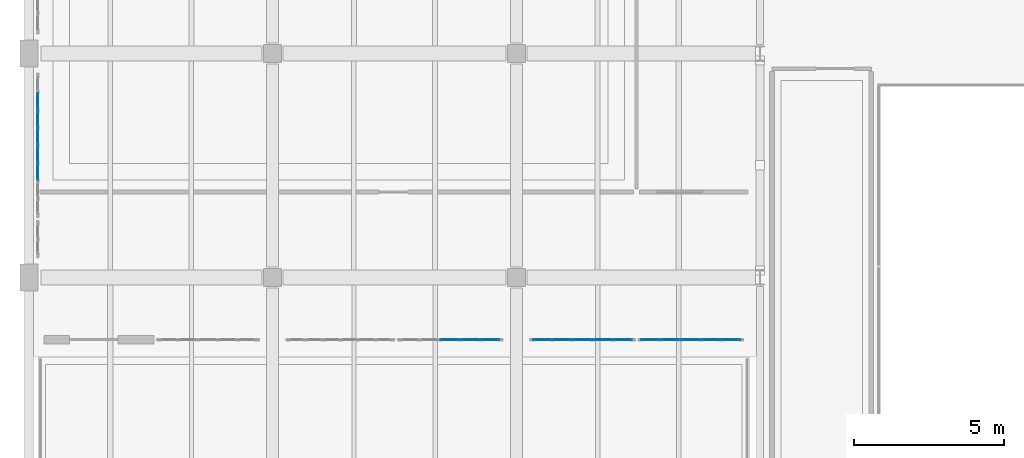
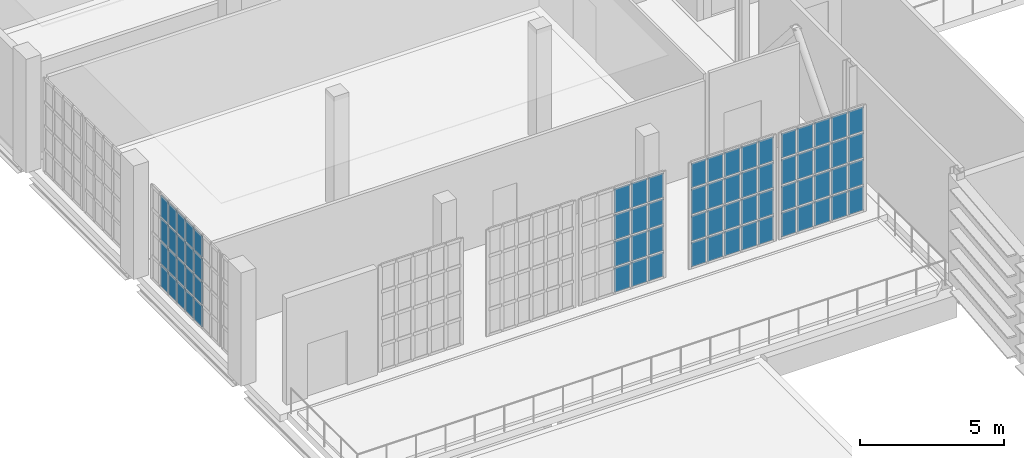
# One storey, part 70 of 104: 72 plates, 4 elements without a shape of their own.
"""IFC4 building model written with IfcOpenShell, lengths in metres."""

from ifc_helpers import new_model, si_unit, direction, frame, origin, origin_2d, place, context, subcontext, project, spatial, rectangle, extrude, material, layer, layer_set, type_object, element, aggregate, save


model = new_model("IFC4")

# Units and contexts
model_context = context("Model", 3, precision=1e-05, world=origin(), true_north=direction((0.0, 1.0)))
body_context = subcontext(model_context, "Body", "Model", "MODEL_VIEW")
ifc_project = project(units=[si_unit("LENGTHUNIT", "METRE"), si_unit("AREAUNIT", "SQUARE_METRE"), si_unit("VOLUMEUNIT", "CUBIC_METRE"), si_unit("PLANEANGLEUNIT", "RADIAN"), si_unit("MASSUNIT", "GRAM", prefix="KILO")], contexts=[model_context])

# Site, building, storey
site_placement = place(None, origin())
site = spatial("IfcSite", under=ifc_project, at=site_placement, CompositionType="ELEMENT")
building_placement = place(site_placement, origin())
building = spatial("IfcBuilding", under=site, at=building_placement, Name="Kaelora Sail Theatre", CompositionType="ELEMENT")
storey_placement = place(building_placement, frame((0.0, 0.0, 5.39990234375)))
storey = spatial("IfcBuildingStorey", under=building, at=storey_placement, Name="L01", CompositionType="ELEMENT", Elevation=5.39990234375)

# Curtain wall, plates
ifc_material_1 = material(Name="Anodised aluminium and solar-control low-E IGU", Category="aluminium")
curtain_wall_type_1 = type_object("IfcCurtainWallType", Name="ARC-CW-CW-FOY2", PredefinedType="NOTDEFINED", material=ifc_material_1)
curtain_wall_1_placement = place(storey_placement, origin())
curtain_wall_1 = element("IfcCurtainWall", 1, at=curtain_wall_1_placement, inside=storey, type_object=curtain_wall_type_1, Name="Glazed Foyer/Conservatory Curtain Wall FW1-S-L01-03", PredefinedType="NOTDEFINED")
ifc_material_2 = material(Name="Solar-control laminated low-E glass", Category="glass")
ifc_layer = layer(ifc_material_2, 0.031982421875)
ifc_layer_set = layer_set([ifc_layer], Name="Solar-control laminated low-E glass")
plate_type = type_object("IfcPlateType", Name="ARC-CW-PNL", PredefinedType="CURTAIN_PANEL", material=ifc_layer_set)
plate_1_placement = place(storey_placement, frame((15.5, 66.389892578125, 0.0703125), z_axis=(0.0, 0.0, 1.0), x_axis=(1.0, 0.0, 0.0)))
plate_1 = element("IfcPlate", 2, at=plate_1_placement, type_object=plate_type, Name="CW-FOY2 panel 3.1", PredefinedType="CURTAIN_PANEL", context=body_context, shape_type="SweptSolid", body=[
    extrude(rectangle(XDim=0.6201171875, YDim=0.031982421875, at=origin_2d()), origin(), (0.0, 0.0, 1.0), 1.021240234375),
])
plate_2_placement = place(storey_placement, frame((15.5, 66.389892578125, 1.161376953125), z_axis=(0.0, 0.0, 1.0), x_axis=(1.0, 0.0, 0.0)))
plate_2 = element("IfcPlate", 3, at=plate_2_placement, type_object=plate_type, Name="CW-FOY2 panel 3.2", PredefinedType="CURTAIN_PANEL", context=body_context, shape_type="SweptSolid", body=[
    extrude(rectangle(XDim=0.6201171875, YDim=0.031982421875, at=origin_2d()), origin(), (0.0, 0.0, 1.0), 1.05615234375),
])
plate_3_placement = place(storey_placement, frame((15.5, 66.389892578125, 2.28759765625), z_axis=(0.0, 0.0, 1.0), x_axis=(1.0, 0.0, 0.0)))
plate_3 = element("IfcPlate", 4, at=plate_3_placement, type_object=plate_type, Name="CW-FOY2 panel 3.3", PredefinedType="CURTAIN_PANEL", context=body_context, shape_type="SweptSolid", body=[
    extrude(rectangle(XDim=0.6201171875, YDim=0.031982421875, at=origin_2d()), origin(), (0.0, 0.0, 1.0), 1.056396484375),
])
plate_4_placement = place(storey_placement, frame((15.5, 66.389892578125, 3.4140625), z_axis=(0.0, 0.0, 1.0), x_axis=(1.0, 0.0, 0.0)))
plate_4 = element("IfcPlate", 5, at=plate_4_placement, type_object=plate_type, Name="CW-FOY2 panel 3.4", PredefinedType="CURTAIN_PANEL", context=body_context, shape_type="SweptSolid", body=[
    extrude(rectangle(XDim=0.6201171875, YDim=0.031982421875, at=origin_2d()), origin(), (0.0, 0.0, 1.0), 1.021240234375),
])
plate_5_placement = place(storey_placement, frame((16.179931640625, 66.389892578125, 0.0703125), z_axis=(0.0, 0.0, 1.0), x_axis=(1.0, 0.0, 0.0)))
plate_5 = element("IfcPlate", 6, at=plate_5_placement, type_object=plate_type, Name="CW-FOY2 panel 4.1", PredefinedType="CURTAIN_PANEL", context=body_context, shape_type="SweptSolid", body=[
    extrude(rectangle(XDim=0.6201171875, YDim=0.031982421875, at=origin_2d()), origin(), (0.0, 0.0, 1.0), 1.021240234375),
])
plate_6_placement = place(storey_placement, frame((16.179931640625, 66.389892578125, 1.161376953125), z_axis=(0.0, 0.0, 1.0), x_axis=(1.0, 0.0, 0.0)))
plate_6 = element("IfcPlate", 7, at=plate_6_placement, type_object=plate_type, Name="CW-FOY2 panel 4.2", PredefinedType="CURTAIN_PANEL", context=body_context, shape_type="SweptSolid", body=[
    extrude(rectangle(XDim=0.6201171875, YDim=0.031982421875, at=origin_2d()), origin(), (0.0, 0.0, 1.0), 1.05615234375),
])
plate_7_placement = place(storey_placement, frame((16.179931640625, 66.389892578125, 2.28759765625), z_axis=(0.0, 0.0, 1.0), x_axis=(1.0, 0.0, 0.0)))
plate_7 = element("IfcPlate", 8, at=plate_7_placement, type_object=plate_type, Name="CW-FOY2 panel 4.3", PredefinedType="CURTAIN_PANEL", context=body_context, shape_type="SweptSolid", body=[
    extrude(rectangle(XDim=0.6201171875, YDim=0.031982421875, at=origin_2d()), origin(), (0.0, 0.0, 1.0), 1.056396484375),
])
plate_8_placement = place(storey_placement, frame((16.179931640625, 66.389892578125, 3.4140625), z_axis=(0.0, 0.0, 1.0), x_axis=(1.0, 0.0, 0.0)))
plate_8 = element("IfcPlate", 9, at=plate_8_placement, type_object=plate_type, Name="CW-FOY2 panel 4.4", PredefinedType="CURTAIN_PANEL", context=body_context, shape_type="SweptSolid", body=[
    extrude(rectangle(XDim=0.6201171875, YDim=0.031982421875, at=origin_2d()), origin(), (0.0, 0.0, 1.0), 1.021240234375),
])
plate_9_placement = place(storey_placement, frame((16.844970703125, 66.389892578125, 0.0703125), z_axis=(0.0, 0.0, 1.0), x_axis=(1.0, 0.0, 0.0)))
plate_9 = element("IfcPlate", 10, at=plate_9_placement, type_object=plate_type, Name="CW-FOY2 panel 5.1", PredefinedType="CURTAIN_PANEL", context=body_context, shape_type="SweptSolid", body=[
    extrude(rectangle(XDim=0.590087890625, YDim=0.031982421875, at=origin_2d()), origin(), (0.0, 0.0, 1.0), 1.021240234375),
])
plate_10_placement = place(storey_placement, frame((16.844970703125, 66.389892578125, 1.161376953125), z_axis=(0.0, 0.0, 1.0), x_axis=(1.0, 0.0, 0.0)))
plate_10 = element("IfcPlate", 11, at=plate_10_placement, type_object=plate_type, Name="CW-FOY2 panel 5.2", PredefinedType="CURTAIN_PANEL", context=body_context, shape_type="SweptSolid", body=[
    extrude(rectangle(XDim=0.590087890625, YDim=0.031982421875, at=origin_2d()), origin(), (0.0, 0.0, 1.0), 1.05615234375),
])
plate_11_placement = place(storey_placement, frame((16.844970703125, 66.389892578125, 2.28759765625), z_axis=(0.0, 0.0, 1.0), x_axis=(1.0, 0.0, 0.0)))
plate_11 = element("IfcPlate", 12, at=plate_11_placement, type_object=plate_type, Name="CW-FOY2 panel 5.3", PredefinedType="CURTAIN_PANEL", context=body_context, shape_type="SweptSolid", body=[
    extrude(rectangle(XDim=0.590087890625, YDim=0.031982421875, at=origin_2d()), origin(), (0.0, 0.0, 1.0), 1.056396484375),
])
plate_12_placement = place(storey_placement, frame((16.844970703125, 66.389892578125, 3.4140625), z_axis=(0.0, 0.0, 1.0), x_axis=(1.0, 0.0, 0.0)))
plate_12 = element("IfcPlate", 13, at=plate_12_placement, type_object=plate_type, Name="CW-FOY2 panel 5.4", PredefinedType="CURTAIN_PANEL", context=body_context, shape_type="SweptSolid", body=[
    extrude(rectangle(XDim=0.590087890625, YDim=0.031982421875, at=origin_2d()), origin(), (0.0, 0.0, 1.0), 1.021240234375),
])
aggregate(curtain_wall_1, [plate_1, plate_2, plate_3, plate_4, plate_5, plate_6, plate_7, plate_8, plate_9, plate_10, plate_11, plate_12])

curtain_wall_2_placement = place(storey_placement, origin())
curtain_wall_2 = element("IfcCurtainWall", 14, at=curtain_wall_2_placement, inside=storey, type_object=curtain_wall_type_1, Name="Glazed Foyer/Conservatory Curtain Wall FW1-S-L01-04", PredefinedType="NOTDEFINED")
plate_13_placement = place(storey_placement, frame((18.554931640625, 66.389892578125, 0.0703125), z_axis=(0.0, 0.0, 1.0), x_axis=(1.0, 0.0, 0.0)))
plate_13 = element("IfcPlate", 15, at=plate_13_placement, type_object=plate_type, Name="CW-FOY2 panel 1.1", PredefinedType="CURTAIN_PANEL", context=body_context, shape_type="SweptSolid", body=[
    extrude(rectangle(XDim=0.590087890625, YDim=0.031982421875, at=origin_2d()), origin(), (0.0, 0.0, 1.0), 1.021240234375),
])
plate_14_placement = place(storey_placement, frame((18.554931640625, 66.389892578125, 1.161376953125), z_axis=(0.0, 0.0, 1.0), x_axis=(1.0, 0.0, 0.0)))
plate_14 = element("IfcPlate", 16, at=plate_14_placement, type_object=plate_type, Name="CW-FOY2 panel 1.2", PredefinedType="CURTAIN_PANEL", context=body_context, shape_type="SweptSolid", body=[
    extrude(rectangle(XDim=0.590087890625, YDim=0.031982421875, at=origin_2d()), origin(), (0.0, 0.0, 1.0), 1.05615234375),
])
plate_15_placement = place(storey_placement, frame((18.554931640625, 66.389892578125, 2.28759765625), z_axis=(0.0, 0.0, 1.0), x_axis=(1.0, 0.0, 0.0)))
plate_15 = element("IfcPlate", 17, at=plate_15_placement, type_object=plate_type, Name="CW-FOY2 panel 1.3", PredefinedType="CURTAIN_PANEL", context=body_context, shape_type="SweptSolid", body=[
    extrude(rectangle(XDim=0.590087890625, YDim=0.031982421875, at=origin_2d()), origin(), (0.0, 0.0, 1.0), 1.056396484375),
])
plate_16_placement = place(storey_placement, frame((18.554931640625, 66.389892578125, 3.4140625), z_axis=(0.0, 0.0, 1.0), x_axis=(1.0, 0.0, 0.0)))
plate_16 = element("IfcPlate", 18, at=plate_16_placement, type_object=plate_type, Name="CW-FOY2 panel 1.4", PredefinedType="CURTAIN_PANEL", context=body_context, shape_type="SweptSolid", body=[
    extrude(rectangle(XDim=0.590087890625, YDim=0.031982421875, at=origin_2d()), origin(), (0.0, 0.0, 1.0), 1.021240234375),
])
plate_17_placement = place(storey_placement, frame((19.219970703125, 66.389892578125, 0.0703125), z_axis=(0.0, 0.0, 1.0), x_axis=(1.0, 0.0, 0.0)))
plate_17 = element("IfcPlate", 19, at=plate_17_placement, type_object=plate_type, Name="CW-FOY2 panel 2.1", PredefinedType="CURTAIN_PANEL", context=body_context, shape_type="SweptSolid", body=[
    extrude(rectangle(XDim=0.6201171875, YDim=0.031982421875, at=origin_2d()), origin(), (0.0, 0.0, 1.0), 1.021240234375),
])
plate_18_placement = place(storey_placement, frame((19.219970703125, 66.389892578125, 1.161376953125), z_axis=(0.0, 0.0, 1.0), x_axis=(1.0, 0.0, 0.0)))
plate_18 = element("IfcPlate", 20, at=plate_18_placement, type_object=plate_type, Name="CW-FOY2 panel 2.2", PredefinedType="CURTAIN_PANEL", context=body_context, shape_type="SweptSolid", body=[
    extrude(rectangle(XDim=0.6201171875, YDim=0.031982421875, at=origin_2d()), origin(), (0.0, 0.0, 1.0), 1.05615234375),
])
plate_19_placement = place(storey_placement, frame((19.219970703125, 66.389892578125, 2.28759765625), z_axis=(0.0, 0.0, 1.0), x_axis=(1.0, 0.0, 0.0)))
plate_19 = element("IfcPlate", 21, at=plate_19_placement, type_object=plate_type, Name="CW-FOY2 panel 2.3", PredefinedType="CURTAIN_PANEL", context=body_context, shape_type="SweptSolid", body=[
    extrude(rectangle(XDim=0.6201171875, YDim=0.031982421875, at=origin_2d()), origin(), (0.0, 0.0, 1.0), 1.056396484375),
])
plate_20_placement = place(storey_placement, frame((19.219970703125, 66.389892578125, 3.4140625), z_axis=(0.0, 0.0, 1.0), x_axis=(1.0, 0.0, 0.0)))
plate_20 = element("IfcPlate", 22, at=plate_20_placement, type_object=plate_type, Name="CW-FOY2 panel 2.4", PredefinedType="CURTAIN_PANEL", context=body_context, shape_type="SweptSolid", body=[
    extrude(rectangle(XDim=0.6201171875, YDim=0.031982421875, at=origin_2d()), origin(), (0.0, 0.0, 1.0), 1.021240234375),
])
plate_21_placement = place(storey_placement, frame((19.89990234375, 66.389892578125, 0.0703125), z_axis=(0.0, 0.0, 1.0), x_axis=(1.0, 0.0, 0.0)))
plate_21 = element("IfcPlate", 23, at=plate_21_placement, type_object=plate_type, Name="CW-FOY2 panel 3.1", PredefinedType="CURTAIN_PANEL", context=body_context, shape_type="SweptSolid", body=[
    extrude(rectangle(XDim=0.6201171875, YDim=0.031982421875, at=origin_2d()), origin(), (0.0, 0.0, 1.0), 1.021240234375),
])
plate_22_placement = place(storey_placement, frame((19.89990234375, 66.389892578125, 1.161376953125), z_axis=(0.0, 0.0, 1.0), x_axis=(1.0, 0.0, 0.0)))
plate_22 = element("IfcPlate", 24, at=plate_22_placement, type_object=plate_type, Name="CW-FOY2 panel 3.2", PredefinedType="CURTAIN_PANEL", context=body_context, shape_type="SweptSolid", body=[
    extrude(rectangle(XDim=0.6201171875, YDim=0.031982421875, at=origin_2d()), origin(), (0.0, 0.0, 1.0), 1.05615234375),
])
plate_23_placement = place(storey_placement, frame((19.89990234375, 66.389892578125, 2.28759765625), z_axis=(0.0, 0.0, 1.0), x_axis=(1.0, 0.0, 0.0)))
plate_23 = element("IfcPlate", 25, at=plate_23_placement, type_object=plate_type, Name="CW-FOY2 panel 3.3", PredefinedType="CURTAIN_PANEL", context=body_context, shape_type="SweptSolid", body=[
    extrude(rectangle(XDim=0.6201171875, YDim=0.031982421875, at=origin_2d()), origin(), (0.0, 0.0, 1.0), 1.056396484375),
])
plate_24_placement = place(storey_placement, frame((19.89990234375, 66.389892578125, 3.4140625), z_axis=(0.0, 0.0, 1.0), x_axis=(1.0, 0.0, 0.0)))
plate_24 = element("IfcPlate", 26, at=plate_24_placement, type_object=plate_type, Name="CW-FOY2 panel 3.4", PredefinedType="CURTAIN_PANEL", context=body_context, shape_type="SweptSolid", body=[
    extrude(rectangle(XDim=0.6201171875, YDim=0.031982421875, at=origin_2d()), origin(), (0.0, 0.0, 1.0), 1.021240234375),
])
plate_25_placement = place(storey_placement, frame((20.580078125, 66.389892578125, 0.0703125), z_axis=(0.0, 0.0, 1.0), x_axis=(1.0, 0.0, 0.0)))
plate_25 = element("IfcPlate", 27, at=plate_25_placement, type_object=plate_type, Name="CW-FOY2 panel 4.1", PredefinedType="CURTAIN_PANEL", context=body_context, shape_type="SweptSolid", body=[
    extrude(rectangle(XDim=0.6201171875, YDim=0.031982421875, at=origin_2d()), origin(), (0.0, 0.0, 1.0), 1.021240234375),
])
plate_26_placement = place(storey_placement, frame((20.580078125, 66.389892578125, 1.161376953125), z_axis=(0.0, 0.0, 1.0), x_axis=(1.0, 0.0, 0.0)))
plate_26 = element("IfcPlate", 28, at=plate_26_placement, type_object=plate_type, Name="CW-FOY2 panel 4.2", PredefinedType="CURTAIN_PANEL", context=body_context, shape_type="SweptSolid", body=[
    extrude(rectangle(XDim=0.6201171875, YDim=0.031982421875, at=origin_2d()), origin(), (0.0, 0.0, 1.0), 1.05615234375),
])
plate_27_placement = place(storey_placement, frame((20.580078125, 66.389892578125, 2.28759765625), z_axis=(0.0, 0.0, 1.0), x_axis=(1.0, 0.0, 0.0)))
plate_27 = element("IfcPlate", 29, at=plate_27_placement, type_object=plate_type, Name="CW-FOY2 panel 4.3", PredefinedType="CURTAIN_PANEL", context=body_context, shape_type="SweptSolid", body=[
    extrude(rectangle(XDim=0.6201171875, YDim=0.031982421875, at=origin_2d()), origin(), (0.0, 0.0, 1.0), 1.056396484375),
])
plate_28_placement = place(storey_placement, frame((20.580078125, 66.389892578125, 3.4140625), z_axis=(0.0, 0.0, 1.0), x_axis=(1.0, 0.0, 0.0)))
plate_28 = element("IfcPlate", 30, at=plate_28_placement, type_object=plate_type, Name="CW-FOY2 panel 4.4", PredefinedType="CURTAIN_PANEL", context=body_context, shape_type="SweptSolid", body=[
    extrude(rectangle(XDim=0.6201171875, YDim=0.031982421875, at=origin_2d()), origin(), (0.0, 0.0, 1.0), 1.021240234375),
])
plate_29_placement = place(storey_placement, frame((21.2451171875, 66.389892578125, 0.0703125), z_axis=(0.0, 0.0, 1.0), x_axis=(1.0, 0.0, 0.0)))
plate_29 = element("IfcPlate", 31, at=plate_29_placement, type_object=plate_type, Name="CW-FOY2 panel 5.1", PredefinedType="CURTAIN_PANEL", context=body_context, shape_type="SweptSolid", body=[
    extrude(rectangle(XDim=0.590087890625, YDim=0.031982421875, at=origin_2d()), origin(), (0.0, 0.0, 1.0), 1.021240234375),
])
plate_30_placement = place(storey_placement, frame((21.2451171875, 66.389892578125, 1.161376953125), z_axis=(0.0, 0.0, 1.0), x_axis=(1.0, 0.0, 0.0)))
plate_30 = element("IfcPlate", 32, at=plate_30_placement, type_object=plate_type, Name="CW-FOY2 panel 5.2", PredefinedType="CURTAIN_PANEL", context=body_context, shape_type="SweptSolid", body=[
    extrude(rectangle(XDim=0.590087890625, YDim=0.031982421875, at=origin_2d()), origin(), (0.0, 0.0, 1.0), 1.05615234375),
])
plate_31_placement = place(storey_placement, frame((21.2451171875, 66.389892578125, 2.28759765625), z_axis=(0.0, 0.0, 1.0), x_axis=(1.0, 0.0, 0.0)))
plate_31 = element("IfcPlate", 33, at=plate_31_placement, type_object=plate_type, Name="CW-FOY2 panel 5.3", PredefinedType="CURTAIN_PANEL", context=body_context, shape_type="SweptSolid", body=[
    extrude(rectangle(XDim=0.590087890625, YDim=0.031982421875, at=origin_2d()), origin(), (0.0, 0.0, 1.0), 1.056396484375),
])
plate_32_placement = place(storey_placement, frame((21.2451171875, 66.389892578125, 3.4140625), z_axis=(0.0, 0.0, 1.0), x_axis=(1.0, 0.0, 0.0)))
plate_32 = element("IfcPlate", 34, at=plate_32_placement, type_object=plate_type, Name="CW-FOY2 panel 5.4", PredefinedType="CURTAIN_PANEL", context=body_context, shape_type="SweptSolid", body=[
    extrude(rectangle(XDim=0.590087890625, YDim=0.031982421875, at=origin_2d()), origin(), (0.0, 0.0, 1.0), 1.021240234375),
])
aggregate(curtain_wall_2, [plate_13, plate_14, plate_15, plate_16, plate_17, plate_18, plate_19, plate_20, plate_21, plate_22, plate_23, plate_24, plate_25, plate_26, plate_27, plate_28, plate_29, plate_30, plate_31, plate_32])

curtain_wall_3_placement = place(storey_placement, origin())
curtain_wall_3 = element("IfcCurtainWall", 35, at=curtain_wall_3_placement, inside=storey, type_object=curtain_wall_type_1, Name="Glazed Foyer/Conservatory Curtain Wall FW1-S-L01-05", PredefinedType="NOTDEFINED")
plate_33_placement = place(storey_placement, frame((22.155029296875, 66.389892578125, 0.0703125), z_axis=(0.0, 0.0, 1.0), x_axis=(1.0, 0.0, 0.0)))
plate_33 = element("IfcPlate", 36, at=plate_33_placement, type_object=plate_type, Name="CW-FOY2 panel 1.1", PredefinedType="CURTAIN_PANEL", context=body_context, shape_type="SweptSolid", body=[
    extrude(rectangle(XDim=0.590087890625, YDim=0.031982421875, at=origin_2d()), origin(), (0.0, 0.0, 1.0), 1.021240234375),
])
plate_34_placement = place(storey_placement, frame((22.155029296875, 66.389892578125, 1.161376953125), z_axis=(0.0, 0.0, 1.0), x_axis=(1.0, 0.0, 0.0)))
plate_34 = element("IfcPlate", 37, at=plate_34_placement, type_object=plate_type, Name="CW-FOY2 panel 1.2", PredefinedType="CURTAIN_PANEL", context=body_context, shape_type="SweptSolid", body=[
    extrude(rectangle(XDim=0.590087890625, YDim=0.031982421875, at=origin_2d()), origin(), (0.0, 0.0, 1.0), 1.05615234375),
])
plate_35_placement = place(storey_placement, frame((22.155029296875, 66.389892578125, 2.28759765625), z_axis=(0.0, 0.0, 1.0), x_axis=(1.0, 0.0, 0.0)))
plate_35 = element("IfcPlate", 38, at=plate_35_placement, type_object=plate_type, Name="CW-FOY2 panel 1.3", PredefinedType="CURTAIN_PANEL", context=body_context, shape_type="SweptSolid", body=[
    extrude(rectangle(XDim=0.590087890625, YDim=0.031982421875, at=origin_2d()), origin(), (0.0, 0.0, 1.0), 1.056396484375),
])
plate_36_placement = place(storey_placement, frame((22.155029296875, 66.389892578125, 3.4140625), z_axis=(0.0, 0.0, 1.0), x_axis=(1.0, 0.0, 0.0)))
plate_36 = element("IfcPlate", 39, at=plate_36_placement, type_object=plate_type, Name="CW-FOY2 panel 1.4", PredefinedType="CURTAIN_PANEL", context=body_context, shape_type="SweptSolid", body=[
    extrude(rectangle(XDim=0.590087890625, YDim=0.031982421875, at=origin_2d()), origin(), (0.0, 0.0, 1.0), 1.021240234375),
])
plate_37_placement = place(storey_placement, frame((22.820068359375, 66.389892578125, 0.0703125), z_axis=(0.0, 0.0, 1.0), x_axis=(1.0, 0.0, 0.0)))
plate_37 = element("IfcPlate", 40, at=plate_37_placement, type_object=plate_type, Name="CW-FOY2 panel 2.1", PredefinedType="CURTAIN_PANEL", context=body_context, shape_type="SweptSolid", body=[
    extrude(rectangle(XDim=0.6201171875, YDim=0.031982421875, at=origin_2d()), origin(), (0.0, 0.0, 1.0), 1.021240234375),
])
plate_38_placement = place(storey_placement, frame((22.820068359375, 66.389892578125, 1.161376953125), z_axis=(0.0, 0.0, 1.0), x_axis=(1.0, 0.0, 0.0)))
plate_38 = element("IfcPlate", 41, at=plate_38_placement, type_object=plate_type, Name="CW-FOY2 panel 2.2", PredefinedType="CURTAIN_PANEL", context=body_context, shape_type="SweptSolid", body=[
    extrude(rectangle(XDim=0.6201171875, YDim=0.031982421875, at=origin_2d()), origin(), (0.0, 0.0, 1.0), 1.05615234375),
])
plate_39_placement = place(storey_placement, frame((22.820068359375, 66.389892578125, 2.28759765625), z_axis=(0.0, 0.0, 1.0), x_axis=(1.0, 0.0, 0.0)))
plate_39 = element("IfcPlate", 42, at=plate_39_placement, type_object=plate_type, Name="CW-FOY2 panel 2.3", PredefinedType="CURTAIN_PANEL", context=body_context, shape_type="SweptSolid", body=[
    extrude(rectangle(XDim=0.6201171875, YDim=0.031982421875, at=origin_2d()), origin(), (0.0, 0.0, 1.0), 1.056396484375),
])
plate_40_placement = place(storey_placement, frame((22.820068359375, 66.389892578125, 3.4140625), z_axis=(0.0, 0.0, 1.0), x_axis=(1.0, 0.0, 0.0)))
plate_40 = element("IfcPlate", 43, at=plate_40_placement, type_object=plate_type, Name="CW-FOY2 panel 2.4", PredefinedType="CURTAIN_PANEL", context=body_context, shape_type="SweptSolid", body=[
    extrude(rectangle(XDim=0.6201171875, YDim=0.031982421875, at=origin_2d()), origin(), (0.0, 0.0, 1.0), 1.021240234375),
])
plate_41_placement = place(storey_placement, frame((23.5, 66.389892578125, 0.0703125), z_axis=(0.0, 0.0, 1.0), x_axis=(1.0, 0.0, 0.0)))
plate_41 = element("IfcPlate", 44, at=plate_41_placement, type_object=plate_type, Name="CW-FOY2 panel 3.1", PredefinedType="CURTAIN_PANEL", context=body_context, shape_type="SweptSolid", body=[
    extrude(rectangle(XDim=0.6201171875, YDim=0.031982421875, at=origin_2d()), origin(), (0.0, 0.0, 1.0), 1.021240234375),
])
plate_42_placement = place(storey_placement, frame((23.5, 66.389892578125, 1.161376953125), z_axis=(0.0, 0.0, 1.0), x_axis=(1.0, 0.0, 0.0)))
plate_42 = element("IfcPlate", 45, at=plate_42_placement, type_object=plate_type, Name="CW-FOY2 panel 3.2", PredefinedType="CURTAIN_PANEL", context=body_context, shape_type="SweptSolid", body=[
    extrude(rectangle(XDim=0.6201171875, YDim=0.031982421875, at=origin_2d()), origin(), (0.0, 0.0, 1.0), 1.05615234375),
])
plate_43_placement = place(storey_placement, frame((23.5, 66.389892578125, 2.28759765625), z_axis=(0.0, 0.0, 1.0), x_axis=(1.0, 0.0, 0.0)))
plate_43 = element("IfcPlate", 46, at=plate_43_placement, type_object=plate_type, Name="CW-FOY2 panel 3.3", PredefinedType="CURTAIN_PANEL", context=body_context, shape_type="SweptSolid", body=[
    extrude(rectangle(XDim=0.6201171875, YDim=0.031982421875, at=origin_2d()), origin(), (0.0, 0.0, 1.0), 1.056396484375),
])
plate_44_placement = place(storey_placement, frame((23.5, 66.389892578125, 3.4140625), z_axis=(0.0, 0.0, 1.0), x_axis=(1.0, 0.0, 0.0)))
plate_44 = element("IfcPlate", 47, at=plate_44_placement, type_object=plate_type, Name="CW-FOY2 panel 3.4", PredefinedType="CURTAIN_PANEL", context=body_context, shape_type="SweptSolid", body=[
    extrude(rectangle(XDim=0.6201171875, YDim=0.031982421875, at=origin_2d()), origin(), (0.0, 0.0, 1.0), 1.021240234375),
])
plate_45_placement = place(storey_placement, frame((24.179931640625, 66.389892578125, 0.0703125), z_axis=(0.0, 0.0, 1.0), x_axis=(1.0, 0.0, 0.0)))
plate_45 = element("IfcPlate", 48, at=plate_45_placement, type_object=plate_type, Name="CW-FOY2 panel 4.1", PredefinedType="CURTAIN_PANEL", context=body_context, shape_type="SweptSolid", body=[
    extrude(rectangle(XDim=0.6201171875, YDim=0.031982421875, at=origin_2d()), origin(), (0.0, 0.0, 1.0), 1.021240234375),
])
plate_46_placement = place(storey_placement, frame((24.179931640625, 66.389892578125, 1.161376953125), z_axis=(0.0, 0.0, 1.0), x_axis=(1.0, 0.0, 0.0)))
plate_46 = element("IfcPlate", 49, at=plate_46_placement, type_object=plate_type, Name="CW-FOY2 panel 4.2", PredefinedType="CURTAIN_PANEL", context=body_context, shape_type="SweptSolid", body=[
    extrude(rectangle(XDim=0.6201171875, YDim=0.031982421875, at=origin_2d()), origin(), (0.0, 0.0, 1.0), 1.05615234375),
])
plate_47_placement = place(storey_placement, frame((24.179931640625, 66.389892578125, 2.28759765625), z_axis=(0.0, 0.0, 1.0), x_axis=(1.0, 0.0, 0.0)))
plate_47 = element("IfcPlate", 50, at=plate_47_placement, type_object=plate_type, Name="CW-FOY2 panel 4.3", PredefinedType="CURTAIN_PANEL", context=body_context, shape_type="SweptSolid", body=[
    extrude(rectangle(XDim=0.6201171875, YDim=0.031982421875, at=origin_2d()), origin(), (0.0, 0.0, 1.0), 1.056396484375),
])
plate_48_placement = place(storey_placement, frame((24.179931640625, 66.389892578125, 3.4140625), z_axis=(0.0, 0.0, 1.0), x_axis=(1.0, 0.0, 0.0)))
plate_48 = element("IfcPlate", 51, at=plate_48_placement, type_object=plate_type, Name="CW-FOY2 panel 4.4", PredefinedType="CURTAIN_PANEL", context=body_context, shape_type="SweptSolid", body=[
    extrude(rectangle(XDim=0.6201171875, YDim=0.031982421875, at=origin_2d()), origin(), (0.0, 0.0, 1.0), 1.021240234375),
])
plate_49_placement = place(storey_placement, frame((24.844970703125, 66.389892578125, 0.0703125), z_axis=(0.0, 0.0, 1.0), x_axis=(1.0, 0.0, 0.0)))
plate_49 = element("IfcPlate", 52, at=plate_49_placement, type_object=plate_type, Name="CW-FOY2 panel 5.1", PredefinedType="CURTAIN_PANEL", context=body_context, shape_type="SweptSolid", body=[
    extrude(rectangle(XDim=0.590087890625, YDim=0.031982421875, at=origin_2d()), origin(), (0.0, 0.0, 1.0), 1.021240234375),
])
plate_50_placement = place(storey_placement, frame((24.844970703125, 66.389892578125, 1.161376953125), z_axis=(0.0, 0.0, 1.0), x_axis=(1.0, 0.0, 0.0)))
plate_50 = element("IfcPlate", 53, at=plate_50_placement, type_object=plate_type, Name="CW-FOY2 panel 5.2", PredefinedType="CURTAIN_PANEL", context=body_context, shape_type="SweptSolid", body=[
    extrude(rectangle(XDim=0.590087890625, YDim=0.031982421875, at=origin_2d()), origin(), (0.0, 0.0, 1.0), 1.05615234375),
])
plate_51_placement = place(storey_placement, frame((24.844970703125, 66.389892578125, 2.28759765625), z_axis=(0.0, 0.0, 1.0), x_axis=(1.0, 0.0, 0.0)))
plate_51 = element("IfcPlate", 54, at=plate_51_placement, type_object=plate_type, Name="CW-FOY2 panel 5.3", PredefinedType="CURTAIN_PANEL", context=body_context, shape_type="SweptSolid", body=[
    extrude(rectangle(XDim=0.590087890625, YDim=0.031982421875, at=origin_2d()), origin(), (0.0, 0.0, 1.0), 1.056396484375),
])
plate_52_placement = place(storey_placement, frame((24.844970703125, 66.389892578125, 3.4140625), z_axis=(0.0, 0.0, 1.0), x_axis=(1.0, 0.0, 0.0)))
plate_52 = element("IfcPlate", 55, at=plate_52_placement, type_object=plate_type, Name="CW-FOY2 panel 5.4", PredefinedType="CURTAIN_PANEL", context=body_context, shape_type="SweptSolid", body=[
    extrude(rectangle(XDim=0.590087890625, YDim=0.031982421875, at=origin_2d()), origin(), (0.0, 0.0, 1.0), 1.021240234375),
])
aggregate(curtain_wall_3, [plate_33, plate_34, plate_35, plate_36, plate_37, plate_38, plate_39, plate_40, plate_41, plate_42, plate_43, plate_44, plate_45, plate_46, plate_47, plate_48, plate_49, plate_50, plate_51, plate_52])

ifc_material_3 = material(Name="Anodised aluminium and solar-control low-E IGU", Category="aluminium")
curtain_wall_type_2 = type_object("IfcCurtainWallType", Name="ARC-CW-CW-PROW", PredefinedType="NOTDEFINED", material=ifc_material_3)
curtain_wall_4_placement = place(storey_placement, origin())
curtain_wall_4 = element("IfcCurtainWall", 56, at=curtain_wall_4_placement, inside=storey, type_object=curtain_wall_type_2, Name="Glazed Colonnade/Courtyard Curtain Wall FW1-W-L01-02", PredefinedType="NOTDEFINED")
plate_53_placement = place(storey_placement, frame((1.7900390625, 71.965576171875, 0.0703125), z_axis=(0.0, 0.0, 1.0), x_axis=(0.0, 1.0, 0.0)))
plate_53 = element("IfcPlate", 57, at=plate_53_placement, type_object=plate_type, Name="CW-PROW panel 3.1", PredefinedType="CURTAIN_PANEL", context=body_context, shape_type="SweptSolid", body=[
    extrude(rectangle(XDim=0.5263671875, YDim=0.031982421875, at=origin_2d()), origin(), (0.0, 0.0, 1.0), 0.891845703125),
])
plate_54_placement = place(storey_placement, frame((1.7900390625, 71.965576171875, 1.031982421875), z_axis=(0.0, 0.0, 1.0), x_axis=(0.0, 1.0, 0.0)))
plate_54 = element("IfcPlate", 58, at=plate_54_placement, type_object=plate_type, Name="CW-PROW panel 3.2", PredefinedType="CURTAIN_PANEL", context=body_context, shape_type="SweptSolid", body=[
    extrude(rectangle(XDim=0.5263671875, YDim=0.031982421875, at=origin_2d()), origin(), (0.0, 0.0, 1.0), 0.9267578125),
])
plate_55_placement = place(storey_placement, frame((1.7900390625, 71.965576171875, 2.028564453125), z_axis=(0.0, 0.0, 1.0), x_axis=(0.0, 1.0, 0.0)))
plate_55 = element("IfcPlate", 59, at=plate_55_placement, type_object=plate_type, Name="CW-PROW panel 3.3", PredefinedType="CURTAIN_PANEL", context=body_context, shape_type="SweptSolid", body=[
    extrude(rectangle(XDim=0.5263671875, YDim=0.031982421875, at=origin_2d()), origin(), (0.0, 0.0, 1.0), 0.9267578125),
])
plate_56_placement = place(storey_placement, frame((1.7900390625, 71.965576171875, 3.025390625), z_axis=(0.0, 0.0, 1.0), x_axis=(0.0, 1.0, 0.0)))
plate_56 = element("IfcPlate", 60, at=plate_56_placement, type_object=plate_type, Name="CW-PROW panel 3.4", PredefinedType="CURTAIN_PANEL", context=body_context, shape_type="SweptSolid", body=[
    extrude(rectangle(XDim=0.5263671875, YDim=0.031982421875, at=origin_2d()), origin(), (0.0, 0.0, 1.0), 0.891845703125),
])
plate_57_placement = place(storey_placement, frame((1.7900390625, 72.5517578125, 0.0703125), z_axis=(0.0, 0.0, 1.0), x_axis=(0.0, 1.0, 0.0)))
plate_57 = element("IfcPlate", 61, at=plate_57_placement, type_object=plate_type, Name="CW-PROW panel 4.1", PredefinedType="CURTAIN_PANEL", context=body_context, shape_type="SweptSolid", body=[
    extrude(rectangle(XDim=0.5263671875, YDim=0.031982421875, at=origin_2d()), origin(), (0.0, 0.0, 1.0), 0.891845703125),
])
plate_58_placement = place(storey_placement, frame((1.7900390625, 72.5517578125, 1.031982421875), z_axis=(0.0, 0.0, 1.0), x_axis=(0.0, 1.0, 0.0)))
plate_58 = element("IfcPlate", 62, at=plate_58_placement, type_object=plate_type, Name="CW-PROW panel 4.2", PredefinedType="CURTAIN_PANEL", context=body_context, shape_type="SweptSolid", body=[
    extrude(rectangle(XDim=0.5263671875, YDim=0.031982421875, at=origin_2d()), origin(), (0.0, 0.0, 1.0), 0.9267578125),
])
plate_59_placement = place(storey_placement, frame((1.7900390625, 72.5517578125, 2.028564453125), z_axis=(0.0, 0.0, 1.0), x_axis=(0.0, 1.0, 0.0)))
plate_59 = element("IfcPlate", 63, at=plate_59_placement, type_object=plate_type, Name="CW-PROW panel 4.3", PredefinedType="CURTAIN_PANEL", context=body_context, shape_type="SweptSolid", body=[
    extrude(rectangle(XDim=0.5263671875, YDim=0.031982421875, at=origin_2d()), origin(), (0.0, 0.0, 1.0), 0.9267578125),
])
plate_60_placement = place(storey_placement, frame((1.7900390625, 72.5517578125, 3.025390625), z_axis=(0.0, 0.0, 1.0), x_axis=(0.0, 1.0, 0.0)))
plate_60 = element("IfcPlate", 64, at=plate_60_placement, type_object=plate_type, Name="CW-PROW panel 4.4", PredefinedType="CURTAIN_PANEL", context=body_context, shape_type="SweptSolid", body=[
    extrude(rectangle(XDim=0.5263671875, YDim=0.031982421875, at=origin_2d()), origin(), (0.0, 0.0, 1.0), 0.891845703125),
])
plate_61_placement = place(storey_placement, frame((1.7900390625, 73.13818359375, 0.0703125), z_axis=(0.0, 0.0, 1.0), x_axis=(0.0, 1.0, 0.0)))
plate_61 = element("IfcPlate", 65, at=plate_61_placement, type_object=plate_type, Name="CW-PROW panel 5.1", PredefinedType="CURTAIN_PANEL", context=body_context, shape_type="SweptSolid", body=[
    extrude(rectangle(XDim=0.5263671875, YDim=0.031982421875, at=origin_2d()), origin(), (0.0, 0.0, 1.0), 0.891845703125),
])
plate_62_placement = place(storey_placement, frame((1.7900390625, 73.13818359375, 1.031982421875), z_axis=(0.0, 0.0, 1.0), x_axis=(0.0, 1.0, 0.0)))
plate_62 = element("IfcPlate", 66, at=plate_62_placement, type_object=plate_type, Name="CW-PROW panel 5.2", PredefinedType="CURTAIN_PANEL", context=body_context, shape_type="SweptSolid", body=[
    extrude(rectangle(XDim=0.5263671875, YDim=0.031982421875, at=origin_2d()), origin(), (0.0, 0.0, 1.0), 0.9267578125),
])
plate_63_placement = place(storey_placement, frame((1.7900390625, 73.13818359375, 2.028564453125), z_axis=(0.0, 0.0, 1.0), x_axis=(0.0, 1.0, 0.0)))
plate_63 = element("IfcPlate", 67, at=plate_63_placement, type_object=plate_type, Name="CW-PROW panel 5.3", PredefinedType="CURTAIN_PANEL", context=body_context, shape_type="SweptSolid", body=[
    extrude(rectangle(XDim=0.5263671875, YDim=0.031982421875, at=origin_2d()), origin(), (0.0, 0.0, 1.0), 0.9267578125),
])
plate_64_placement = place(storey_placement, frame((1.7900390625, 73.13818359375, 3.025390625), z_axis=(0.0, 0.0, 1.0), x_axis=(0.0, 1.0, 0.0)))
plate_64 = element("IfcPlate", 68, at=plate_64_placement, type_object=plate_type, Name="CW-PROW panel 5.4", PredefinedType="CURTAIN_PANEL", context=body_context, shape_type="SweptSolid", body=[
    extrude(rectangle(XDim=0.5263671875, YDim=0.031982421875, at=origin_2d()), origin(), (0.0, 0.0, 1.0), 0.891845703125),
])
plate_65_placement = place(storey_placement, frame((1.7900390625, 73.724365234375, 0.0703125), z_axis=(0.0, 0.0, 1.0), x_axis=(0.0, 1.0, 0.0)))
plate_65 = element("IfcPlate", 69, at=plate_65_placement, type_object=plate_type, Name="CW-PROW panel 6.1", PredefinedType="CURTAIN_PANEL", context=body_context, shape_type="SweptSolid", body=[
    extrude(rectangle(XDim=0.5263671875, YDim=0.031982421875, at=origin_2d()), origin(), (0.0, 0.0, 1.0), 0.891845703125),
])
plate_66_placement = place(storey_placement, frame((1.7900390625, 73.724365234375, 1.031982421875), z_axis=(0.0, 0.0, 1.0), x_axis=(0.0, 1.0, 0.0)))
plate_66 = element("IfcPlate", 70, at=plate_66_placement, type_object=plate_type, Name="CW-PROW panel 6.2", PredefinedType="CURTAIN_PANEL", context=body_context, shape_type="SweptSolid", body=[
    extrude(rectangle(XDim=0.5263671875, YDim=0.031982421875, at=origin_2d()), origin(), (0.0, 0.0, 1.0), 0.9267578125),
])
plate_67_placement = place(storey_placement, frame((1.7900390625, 73.724365234375, 2.028564453125), z_axis=(0.0, 0.0, 1.0), x_axis=(0.0, 1.0, 0.0)))
plate_67 = element("IfcPlate", 71, at=plate_67_placement, type_object=plate_type, Name="CW-PROW panel 6.3", PredefinedType="CURTAIN_PANEL", context=body_context, shape_type="SweptSolid", body=[
    extrude(rectangle(XDim=0.5263671875, YDim=0.031982421875, at=origin_2d()), origin(), (0.0, 0.0, 1.0), 0.9267578125),
])
plate_68_placement = place(storey_placement, frame((1.7900390625, 73.724365234375, 3.025390625), z_axis=(0.0, 0.0, 1.0), x_axis=(0.0, 1.0, 0.0)))
plate_68 = element("IfcPlate", 72, at=plate_68_placement, type_object=plate_type, Name="CW-PROW panel 6.4", PredefinedType="CURTAIN_PANEL", context=body_context, shape_type="SweptSolid", body=[
    extrude(rectangle(XDim=0.5263671875, YDim=0.031982421875, at=origin_2d()), origin(), (0.0, 0.0, 1.0), 0.891845703125),
])
plate_69_placement = place(storey_placement, frame((1.7900390625, 74.310546875, 0.0703125), z_axis=(0.0, 0.0, 1.0), x_axis=(0.0, 1.0, 0.0)))
plate_69 = element("IfcPlate", 73, at=plate_69_placement, type_object=plate_type, Name="CW-PROW panel 7.1", PredefinedType="CURTAIN_PANEL", context=body_context, shape_type="SweptSolid", body=[
    extrude(rectangle(XDim=0.5263671875, YDim=0.031982421875, at=origin_2d()), origin(), (0.0, 0.0, 1.0), 0.891845703125),
])
plate_70_placement = place(storey_placement, frame((1.7900390625, 74.310546875, 1.031982421875), z_axis=(0.0, 0.0, 1.0), x_axis=(0.0, 1.0, 0.0)))
plate_70 = element("IfcPlate", 74, at=plate_70_placement, type_object=plate_type, Name="CW-PROW panel 7.2", PredefinedType="CURTAIN_PANEL", context=body_context, shape_type="SweptSolid", body=[
    extrude(rectangle(XDim=0.5263671875, YDim=0.031982421875, at=origin_2d()), origin(), (0.0, 0.0, 1.0), 0.9267578125),
])
plate_71_placement = place(storey_placement, frame((1.7900390625, 74.310546875, 2.028564453125), z_axis=(0.0, 0.0, 1.0), x_axis=(0.0, 1.0, 0.0)))
plate_71 = element("IfcPlate", 75, at=plate_71_placement, type_object=plate_type, Name="CW-PROW panel 7.3", PredefinedType="CURTAIN_PANEL", context=body_context, shape_type="SweptSolid", body=[
    extrude(rectangle(XDim=0.5263671875, YDim=0.031982421875, at=origin_2d()), origin(), (0.0, 0.0, 1.0), 0.9267578125),
])
plate_72_placement = place(storey_placement, frame((1.7900390625, 74.310546875, 3.025390625), z_axis=(0.0, 0.0, 1.0), x_axis=(0.0, 1.0, 0.0)))
plate_72 = element("IfcPlate", 76, at=plate_72_placement, type_object=plate_type, Name="CW-PROW panel 7.4", PredefinedType="CURTAIN_PANEL", context=body_context, shape_type="SweptSolid", body=[
    extrude(rectangle(XDim=0.5263671875, YDim=0.031982421875, at=origin_2d()), origin(), (0.0, 0.0, 1.0), 0.891845703125),
])
aggregate(curtain_wall_4, [plate_53, plate_54, plate_55, plate_56, plate_57, plate_58, plate_59, plate_60, plate_61, plate_62, plate_63, plate_64, plate_65, plate_66, plate_67, plate_68, plate_69, plate_70, plate_71, plate_72])

save(model, "model.ifc")
